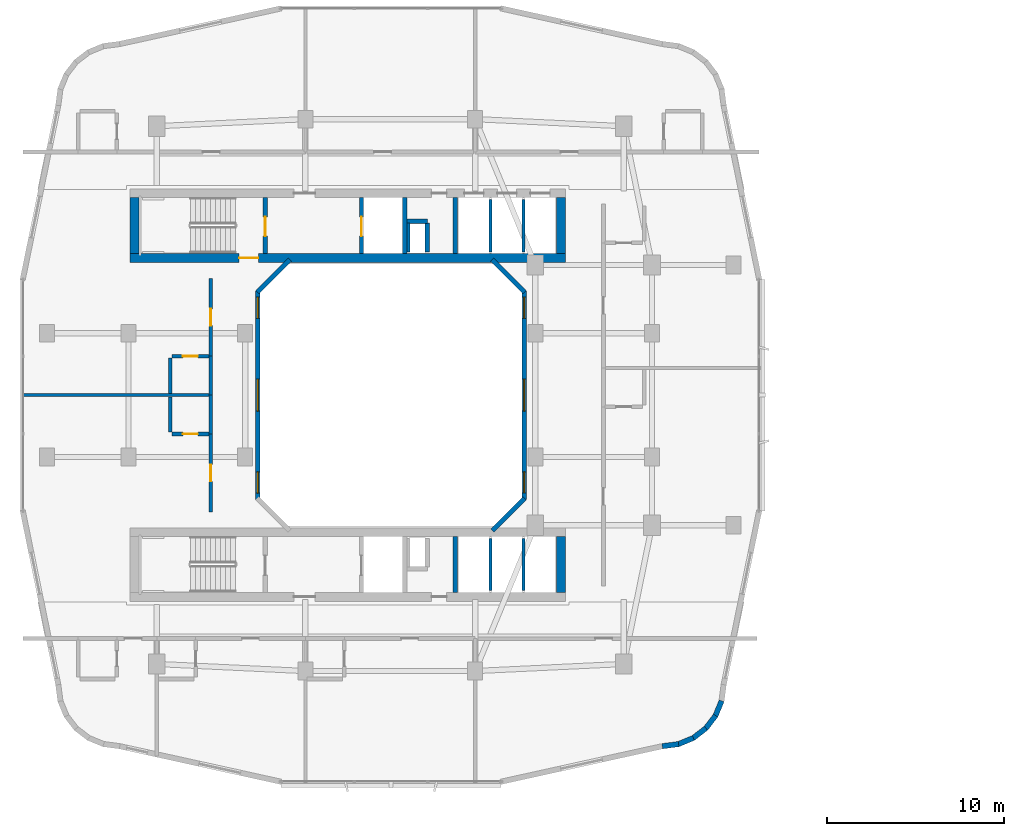
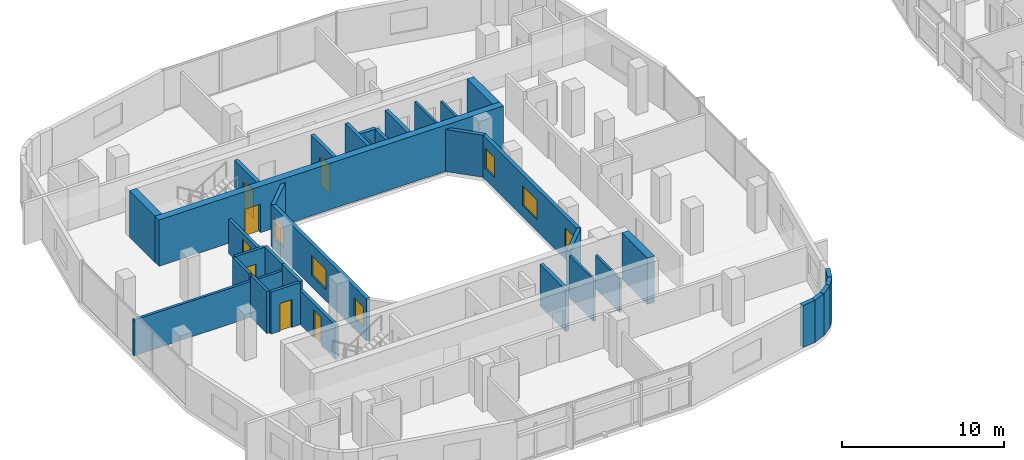
# One storey, part 13 of 25: 35 walls, 7 doors, 6 windows, 13 openings.
"""IFC4 building model written with IfcOpenShell, lengths in metres."""

from ifc_helpers import new_model, si_unit, derived_unit, direction, frame, frame_2d, origin, place, context, subcontext, project, spatial, rectangle, extrude, material, layer, layer_set, type_object, element, fill, save


model = new_model("IFC4")

# Units and contexts
model_context = context("Model", 3, precision=1e-05, world=origin(), true_north=direction((0.0, 1.0)))
body_context = subcontext(model_context, "Body", "Model", "MODEL_VIEW")
ifc_project = project(units=[si_unit("LENGTHUNIT", "METRE"), si_unit("AREAUNIT", "SQUARE_METRE"), si_unit("VOLUMEUNIT", "CUBIC_METRE"), si_unit("PLANEANGLEUNIT", "RADIAN"), si_unit("MASSUNIT", "GRAM", prefix="KILO"), derived_unit("THERMALTRANSMITTANCEUNIT", [(si_unit("POWERUNIT", "WATT"), 1), (si_unit("LENGTHUNIT", "METRE"), -2), (si_unit("THERMODYNAMICTEMPERATUREUNIT", "KELVIN"), -1)])], contexts=[model_context])

# Site, building, storey
site_placement = place(None, origin())
site = spatial("IfcSite", under=ifc_project, at=site_placement, CompositionType="ELEMENT")
building_placement = place(site_placement, origin())
building = spatial("IfcBuilding", under=site, at=building_placement, Name="Kivonza Crest Hotel", CompositionType="ELEMENT")
storey_placement = place(building_placement, frame((0.0, 0.0, 87.0)))
storey = spatial("IfcBuildingStorey", under=building, at=storey_placement, Name="L23", CompositionType="ELEMENT", Elevation=87.0)

# Walls
ifc_material_1 = material(Name="High-density acoustic masonry inter-tenancy wall", Category="masonry")
ifc_layer_1 = layer(ifc_material_1, 0.179931640625)
ifc_layer_set_1 = layer_set([ifc_layer_1], Name="High-density acoustic masonry inter-tenancy wall")
wall_type_1 = type_object("IfcWallType", Name="WL-ACOU-180", PredefinedType="SOLIDWALL", material=ifc_layer_set_1)
wall_1_placement = place(storey_placement, frame((0.139892578125, 25.0, 0.0), z_axis=(0.0, 0.0, 1.0), x_axis=(1.0, 0.0, 0.0)))
element("IfcWall", 1, at=wall_1_placement, inside=storey, type_object=wall_type_1, Name="L23 interior partition WA-L23-T1W-DIV1", PredefinedType="SOLIDWALL", context=body_context, shape_type="SweptSolid", body=[
    extrude(rectangle(XDim=10.710205078125, YDim=0.179931640625, at=frame_2d((5.35498046875, 0.0))), origin(), (0.0, 0.0, 1.0), 2.705078125),
])
ifc_material_2 = material(Name="Autoclaved aerated concrete blockwork", Category="masonry")
ifc_layer_2 = layer(ifc_material_2, 0.219970703125)
ifc_layer_set_2 = layer_set([ifc_layer_2], Name="Autoclaved aerated concrete blockwork")
wall_type_2 = type_object("IfcWallType", Name="WL-ACOU-220", PredefinedType="SOLIDWALL", material=ifc_layer_set_2)
wall_2_placement = place(storey_placement, frame((10.85009765625, 22.800048828125, 0.0), z_axis=(0.0, 0.0, 1.0), x_axis=(0.0, 1.0, 0.0)))
element("IfcWall", 2, at=wall_2_placement, inside=storey, type_object=wall_type_2, Name="L23 interior partition WA-L23-W06-BCORR", PredefinedType="SOLIDWALL", context=body_context, shape_type="SweptSolid", body=[
    extrude(rectangle(XDim=2.199951171875, YDim=0.219970703125, at=frame_2d((1.10009765625, 0.0))), origin(), (0.0, 0.0, 1.0), 3.179931640625),
])

# Wall, opening, door
wall_3_placement = place(storey_placement, frame((10.85009765625, 18.39990234375, 0.0), z_axis=(0.0, 0.0, 1.0), x_axis=(0.0, 1.0, 0.0)))
wall_3 = element("IfcWall", 3, at=wall_3_placement, inside=storey, type_object=wall_type_2, Name="L23 interior partition WA-L23-W06-MCORR", PredefinedType="SOLIDWALL", context=body_context, shape_type="SweptSolid", body=[
    extrude(rectangle(XDim=4.400146484375, YDim=0.219970703125, at=frame_2d((2.2001953125, 0.0))), origin(), (0.0, 0.0, 1.0), 2.554931640625),
])
opening_1_placement = place(wall_3_placement, frame((1.72509765625, 0.0, 0.0)))
opening_1 = element("IfcOpeningElement", 4, at=opening_1_placement, cuts=wall_3, Name="Opening DU-60", PredefinedType="OPENING", context=body_context, shape_type="SweptSolid", body=[
    extrude(rectangle(XDim=0.949951171875, YDim=2.10009765625, at=frame_2d((0.47509765625, 1.050048828125))), frame((0.0, 0.1201171875, 0.0), z_axis=(0.0, -1.0, 0.0), x_axis=(1.0, 0.0, 0.0)), (0.0, 0.0, 1.0), 0.239990234375),
])
ifc_material_3 = material(Name="Hardwood timber oak", Category="wood")
door_type_1 = type_object("IfcDoorType", Name="DR-UNIT-950", OperationType="NOTDEFINED", PredefinedType="DOOR", material=ifc_material_3)
door_1_placement = place(opening_1_placement, origin())
door_1 = element("IfcDoor", 5, at=door_1_placement, inside=storey, type_object=door_type_1, Name="L23 W06 guest unit entrance fire door", OperationType="SINGLE_SWING_RIGHT", OverallHeight=2.10009765625, OverallWidth=0.949951171875, PredefinedType="DOOR", context=body_context, shape_type="SweptSolid", body=[
    extrude(rectangle(XDim=0.949951171875, YDim=2.10009765625, at=frame_2d((0.47509765625, 1.050048828125))), frame((0.0, 0.02490234375, 0.0), z_axis=(0.0, -1.0, 0.0), x_axis=(1.0, 0.0, 0.0)), (0.0, 0.0, 1.0), 0.050048828125),
])
fill(opening_1, door_1)

# Wall
wall_4_placement = place(storey_placement, frame((10.85009765625, 25.0, 0.0), z_axis=(0.0, 0.0, 1.0), x_axis=(0.0, 1.0, 0.0)))
element("IfcWall", 6, at=wall_4_placement, inside=storey, type_object=wall_type_2, Name="L23 interior partition WA-L23-W07-BCORR", PredefinedType="SOLIDWALL", context=body_context, shape_type="SweptSolid", body=[
    extrude(rectangle(XDim=2.199951171875, YDim=0.219970703125, at=frame_2d((1.10009765625, 0.0))), origin(), (0.0, 0.0, 1.0), 3.179931640625),
])

# Wall, opening, door
wall_5_placement = place(storey_placement, frame((10.85009765625, 27.199951171875, 0.0), z_axis=(0.0, 0.0, 1.0), x_axis=(0.0, 1.0, 0.0)))
wall_5 = element("IfcWall", 7, at=wall_5_placement, inside=storey, type_object=wall_type_2, Name="L23 interior partition WA-L23-W07-MCORR", PredefinedType="SOLIDWALL", context=body_context, shape_type="SweptSolid", body=[
    extrude(rectangle(XDim=4.400146484375, YDim=0.219970703125, at=frame_2d((2.2001953125, 0.0))), origin(), (0.0, 0.0, 1.0), 2.554931640625),
])
opening_2_placement = place(wall_5_placement, frame((1.72509765625, 0.0, 0.0)))
opening_2 = element("IfcOpeningElement", 8, at=opening_2_placement, cuts=wall_5, Name="Opening DU-60", PredefinedType="OPENING", context=body_context, shape_type="SweptSolid", body=[
    extrude(rectangle(XDim=0.949951171875, YDim=2.10009765625, at=frame_2d((0.47509765625, 1.050048828125))), frame((0.0, 0.1201171875, 0.0), z_axis=(0.0, -1.0, 0.0), x_axis=(1.0, 0.0, 0.0)), (0.0, 0.0, 1.0), 0.239990234375),
])
door_2_placement = place(opening_2_placement, origin())
door_2 = element("IfcDoor", 9, at=door_2_placement, inside=storey, type_object=door_type_1, Name="L23 W07 guest unit entrance fire door", OperationType="SINGLE_SWING_LEFT", OverallHeight=2.10009765625, OverallWidth=0.949951171875, PredefinedType="DOOR", context=body_context, shape_type="SweptSolid", body=[
    extrude(rectangle(XDim=0.949951171875, YDim=2.10009765625, at=frame_2d((0.47509765625, 1.050048828125))), frame((0.0, 0.02490234375, 0.0), z_axis=(0.0, -1.0, 0.0), x_axis=(1.0, 0.0, 0.0)), (0.0, 0.0, 1.0), 0.050048828125),
])
fill(opening_2, door_2)

ifc_material_4 = material(Name="Concrete C60/75", Category="concrete")
ifc_layer_3 = layer(ifc_material_4, 0.5)
ifc_layer_set_3 = layer_set([ifc_layer_3], Name="Concrete C60/75")
wall_type_3 = type_object("IfcWallType", Name="WL-CORE-500", PredefinedType="SHEAR", material=ifc_layer_set_3)
wall_6_placement = place(storey_placement, frame((6.300048828125, 32.75, 0.0), z_axis=(0.0, 0.0, 1.0), x_axis=(1.0, 0.0, 0.0)))
wall_6 = element("IfcWall", 10, at=wall_6_placement, inside=storey, type_object=wall_type_3, Name="Core wall T1-N South L23", PredefinedType="SHEAR", context=body_context, shape_type="SweptSolid", body=[
    extrude(rectangle(XDim=24.599853515625, YDim=0.5, at=frame_2d((12.2998046875, 0.0))), origin(), (0.0, 0.0, 1.0), 3.5),
])
opening_3_placement = place(wall_6_placement, frame((6.14990234375, 0.0, 0.0)))
opening_3 = element("IfcOpeningElement", 11, at=opening_3_placement, cuts=wall_6, Name="Opening DF-120", PredefinedType="OPENING", context=body_context, shape_type="SweptSolid", body=[
    extrude(rectangle(XDim=1.10009765625, YDim=2.14990234375, at=frame_2d((0.550048828125, 1.074951171875))), frame((0.0, 0.260009765625, 0.0), z_axis=(0.0, -1.0, 0.0), x_axis=(1.0, 0.0, 0.0)), (0.0, 0.0, 1.0), 0.52001953125),
])
ifc_material_5 = material(Name="Galvanised steel", Category="steel")
door_type_2 = type_object("IfcDoorType", Name="DR-FD120-1100", OperationType="NOTDEFINED", PredefinedType="DOOR", material=ifc_material_5)
door_3_placement = place(opening_3_placement, origin())
door_3 = element("IfcDoor", 12, at=door_3_placement, inside=storey, type_object=door_type_2, Name="L23 West corridor stair access fire door", OperationType="SINGLE_SWING_LEFT", OverallHeight=2.14990234375, OverallWidth=1.10009765625, PredefinedType="DOOR", context=body_context, shape_type="SweptSolid", body=[
    extrude(rectangle(XDim=1.10009765625, YDim=2.14990234375, at=frame_2d((0.550048828125, 1.074951171875))), frame((0.0, 0.02490234375, 0.0), z_axis=(0.0, -1.0, 0.0), x_axis=(1.0, 0.0, 0.0)), (0.0, 0.0, 1.0), 0.050048828125),
])
fill(opening_3, door_3)

# Walls
for number, where, z_axis, x_axis, name in (
    (13, (6.550048828125, 33.0, 0.0), (0.0, 0.0, 1.0), (0.0, 1.0, 0.0), "Core wall T1-N West L23"),
    (14, (30.64990234375, 33.0, 0.0), (0.0, 0.0, 1.0), (0.0, 1.0, 0.0), "Core wall T1-N East L23"),
    (15, (30.64990234375, 13.840087890625, 0.0), (0.0, 0.0, 1.0), (0.0, 1.0, 0.0), "Core wall T1-S East L23"),
):
    element("IfcWall", number, at=place(storey_placement, frame(where, z_axis=z_axis, x_axis=x_axis)), inside=storey, type_object=wall_type_3, Name=name, PredefinedType="SHEAR", context=body_context, shape_type="SweptSolid", body=[
        extrude(rectangle(XDim=3.159912109375, YDim=0.5, at=frame_2d((1.580078125, 0.0))), origin(), (0.0, 0.0, 1.0), 3.5),
    ])
ifc_material_6 = material(Name="Precast concrete C40/50", Category="concrete")
ifc_layer_4 = layer(ifc_material_6, 0.260009765625)
ifc_layer_set_4 = layer_set([ifc_layer_4], Name="Precast concrete C40/50")
wall_type_4 = type_object("IfcWallType", Name="WL-EXT-260", PredefinedType="STANDARD", material=ifc_layer_set_4)
wall_7_placement = place(storey_placement, frame((26.761962890625, 17.337890625, 0.0), z_axis=(0.0, 0.0, 1.0), x_axis=(0.707059717605, 0.707153841636, 0.0)))
element("IfcWall", 16, at=wall_7_placement, inside=storey, type_object=wall_type_4, Name="L23 T1 light-well exterior wall 2", PredefinedType="STANDARD", context=body_context, shape_type="SweptSolid", body=[
    extrude(rectangle(XDim=2.59375, YDim=0.260009765625, at=frame_2d((1.296875, 0.0))), origin(), (0.0, 0.0, 1.0), 3.179931640625),
])

# Wall, openings, windows
wall_8_placement = place(storey_placement, frame((28.570068359375, 19.110107421875, 0.0), z_axis=(0.0, 0.0, 1.0), x_axis=(0.0, 1.0, 0.0)))
wall_8 = element("IfcWall", 17, at=wall_8_placement, inside=storey, type_object=wall_type_4, Name="L23 T1 light-well exterior wall 3", PredefinedType="STANDARD", context=body_context, shape_type="SweptSolid", body=[
    extrude(rectangle(XDim=11.77978515625, YDim=0.260009765625, at=frame_2d((5.889892578125, 0.0))), origin(), (0.0, 0.0, 1.0), 3.179931640625),
])
opening_4_placement = place(wall_8_placement, frame((0.35498046875, 0.0, 0.85009765625)))
opening_4 = element("IfcOpeningElement", 18, at=opening_4_placement, cuts=wall_8, Name="Opening WN-01", PredefinedType="OPENING", context=body_context, shape_type="SweptSolid", body=[
    extrude(rectangle(XDim=1.199951171875, YDim=1.5, at=frame_2d((0.60009765625, 0.75))), frame((0.0, 0.14013671875, 0.0), z_axis=(0.0, -1.0, 0.0), x_axis=(1.0, 0.0, 0.0)), (0.0, 0.0, 1.0), 0.280029296875),
])
opening_5_placement = place(wall_8_placement, frame((4.989990234375, 0.0, 0.85009765625)))
opening_5 = element("IfcOpeningElement", 19, at=opening_5_placement, cuts=wall_8, Name="Opening WN-03", PredefinedType="OPENING", context=body_context, shape_type="SweptSolid", body=[
    extrude(rectangle(XDim=1.800048828125, YDim=1.5, at=frame_2d((0.89990234375, 0.75))), frame((0.0, 0.14013671875, 0.0), z_axis=(0.0, -1.0, 0.0), x_axis=(1.0, 0.0, 0.0)), (0.0, 0.0, 1.0), 0.280029296875),
])
opening_6_placement = place(wall_8_placement, frame((10.22509765625, 0.0, 0.85009765625)))
opening_6 = element("IfcOpeningElement", 20, at=opening_6_placement, cuts=wall_8, Name="Opening WN-01", PredefinedType="OPENING", context=body_context, shape_type="SweptSolid", body=[
    extrude(rectangle(XDim=1.199951171875, YDim=1.5, at=frame_2d((0.60009765625, 0.75))), frame((0.0, 0.14013671875, 0.0), z_axis=(0.0, -1.0, 0.0), x_axis=(1.0, 0.0, 0.0)), (0.0, 0.0, 1.0), 0.280029296875),
])
ifc_material_7 = material(Name="Thermally broken bronze aluminium and low-E double glazing", Category="aluminium")
window_type_1 = type_object("IfcWindowType", Name="WN-120x150", PartitioningType="SINGLE_PANEL", PredefinedType="WINDOW", material=ifc_material_7)
window_1_placement = place(opening_4_placement, origin())
window_1 = element("IfcWindow", 21, at=window_1_placement, inside=storey, type_object=window_type_1, Name="L23 T1 light-well window 3 bay 1", OverallHeight=1.5, OverallWidth=1.199951171875, PartitioningType="SINGLE_PANEL", PredefinedType="WINDOW", context=body_context, shape_type="SweptSolid", body=[
    extrude(rectangle(XDim=1.199951171875, YDim=1.5, at=frame_2d((0.60009765625, 0.75))), frame((0.0, 0.030029296875, 0.0), z_axis=(0.0, -1.0, 0.0), x_axis=(1.0, 0.0, 0.0)), (0.0, 0.0, 1.0), 0.06005859375),
])
fill(opening_4, window_1)
window_2_placement = place(opening_6_placement, origin())
window_2 = element("IfcWindow", 22, at=window_2_placement, inside=storey, type_object=window_type_1, Name="L23 T1 light-well window 3 bay 3", OverallHeight=1.5, OverallWidth=1.199951171875, PartitioningType="SINGLE_PANEL", PredefinedType="WINDOW", context=body_context, shape_type="SweptSolid", body=[
    extrude(rectangle(XDim=1.199951171875, YDim=1.5, at=frame_2d((0.60009765625, 0.75))), frame((0.0, 0.030029296875, 0.0), z_axis=(0.0, -1.0, 0.0), x_axis=(1.0, 0.0, 0.0)), (0.0, 0.0, 1.0), 0.06005859375),
])
fill(opening_6, window_2)
window_type_2 = type_object("IfcWindowType", Name="WN-180x150", PartitioningType="DOUBLE_PANEL_VERTICAL", PredefinedType="WINDOW", material=ifc_material_7)
window_3_placement = place(opening_5_placement, origin())
window_3 = element("IfcWindow", 23, at=window_3_placement, inside=storey, type_object=window_type_2, Name="L23 T1 light-well window 3 bay 2", OverallHeight=1.5, OverallWidth=1.800048828125, PartitioningType="SINGLE_PANEL", PredefinedType="WINDOW", context=body_context, shape_type="SweptSolid", body=[
    extrude(rectangle(XDim=1.800048828125, YDim=1.5, at=frame_2d((0.89990234375, 0.75))), frame((0.0, 0.030029296875, 0.0), z_axis=(0.0, -1.0, 0.0), x_axis=(1.0, 0.0, 0.0)), (0.0, 0.0, 1.0), 0.06005859375),
])
fill(opening_5, window_3)

# Walls
wall_9_placement = place(storey_placement, frame((28.595947265625, 30.827880859375, 0.0), z_axis=(0.0, 0.0, 1.0), x_axis=(-0.707059717605, 0.707153841636, 0.0)))
element("IfcWall", 24, at=wall_9_placement, inside=storey, type_object=wall_type_4, Name="L23 T1 light-well exterior wall 4", PredefinedType="STANDARD", context=body_context, shape_type="SweptSolid", body=[
    extrude(rectangle(XDim=2.59375, YDim=0.260009765625, at=frame_2d((1.296875, 0.0))), origin(), (0.0, 0.0, 1.0), 3.179931640625),
])
wall_10_placement = place(storey_placement, frame((15.318115234375, 32.662109375, 0.0), z_axis=(0.0, 0.0, 1.0), x_axis=(-0.707106781187, -0.707106781187, 0.0)))
element("IfcWall", 25, at=wall_10_placement, inside=storey, type_object=wall_type_4, Name="L23 T1 light-well exterior wall 6", PredefinedType="STANDARD", context=body_context, shape_type="SweptSolid", body=[
    extrude(rectangle(XDim=2.593994140625, YDim=0.260009765625, at=frame_2d((1.296875, 0.0))), origin(), (0.0, 0.0, 1.0), 3.179931640625),
])

# Wall, openings, windows
wall_11_placement = place(storey_placement, frame((13.510009765625, 30.889892578125, 0.0), z_axis=(0.0, 0.0, 1.0), x_axis=(0.0, -1.0, 0.0)))
wall_11 = element("IfcWall", 26, at=wall_11_placement, inside=storey, type_object=wall_type_4, Name="L23 T1 light-well exterior wall 7", PredefinedType="STANDARD", context=body_context, shape_type="SweptSolid", body=[
    extrude(rectangle(XDim=11.77978515625, YDim=0.260009765625, at=frame_2d((5.889892578125, 0.0))), origin(), (0.0, 0.0, 1.0), 3.179931640625),
])
opening_7_placement = place(wall_11_placement, frame((0.35498046875, 0.0, 0.85009765625)))
opening_7 = element("IfcOpeningElement", 27, at=opening_7_placement, cuts=wall_11, Name="Opening WN-01", PredefinedType="OPENING", context=body_context, shape_type="SweptSolid", body=[
    extrude(rectangle(XDim=1.199951171875, YDim=1.5, at=frame_2d((0.60009765625, 0.75))), frame((0.0, 0.14013671875, 0.0), z_axis=(0.0, -1.0, 0.0), x_axis=(1.0, 0.0, 0.0)), (0.0, 0.0, 1.0), 0.280029296875),
])
opening_8_placement = place(wall_11_placement, frame((4.989990234375, 0.0, 0.85009765625)))
opening_8 = element("IfcOpeningElement", 28, at=opening_8_placement, cuts=wall_11, Name="Opening WN-03", PredefinedType="OPENING", context=body_context, shape_type="SweptSolid", body=[
    extrude(rectangle(XDim=1.800048828125, YDim=1.5, at=frame_2d((0.89990234375, 0.75))), frame((0.0, 0.14013671875, 0.0), z_axis=(0.0, -1.0, 0.0), x_axis=(1.0, 0.0, 0.0)), (0.0, 0.0, 1.0), 0.280029296875),
])
opening_9_placement = place(wall_11_placement, frame((10.22509765625, 0.0, 0.85009765625)))
opening_9 = element("IfcOpeningElement", 29, at=opening_9_placement, cuts=wall_11, Name="Opening WN-01", PredefinedType="OPENING", context=body_context, shape_type="SweptSolid", body=[
    extrude(rectangle(XDim=1.199951171875, YDim=1.5, at=frame_2d((0.60009765625, 0.75))), frame((0.0, 0.14013671875, 0.0), z_axis=(0.0, -1.0, 0.0), x_axis=(1.0, 0.0, 0.0)), (0.0, 0.0, 1.0), 0.280029296875),
])
window_4_placement = place(opening_7_placement, origin())
window_4 = element("IfcWindow", 30, at=window_4_placement, inside=storey, type_object=window_type_1, Name="L23 T1 light-well window 7 bay 1", OverallHeight=1.5, OverallWidth=1.199951171875, PartitioningType="SINGLE_PANEL", PredefinedType="WINDOW", context=body_context, shape_type="SweptSolid", body=[
    extrude(rectangle(XDim=1.199951171875, YDim=1.5, at=frame_2d((0.60009765625, 0.75))), frame((0.0, 0.030029296875, 0.0), z_axis=(0.0, -1.0, 0.0), x_axis=(1.0, 0.0, 0.0)), (0.0, 0.0, 1.0), 0.06005859375),
])
fill(opening_7, window_4)
window_5_placement = place(opening_9_placement, origin())
window_5 = element("IfcWindow", 31, at=window_5_placement, inside=storey, type_object=window_type_1, Name="L23 T1 light-well window 7 bay 3", OverallHeight=1.5, OverallWidth=1.199951171875, PartitioningType="SINGLE_PANEL", PredefinedType="WINDOW", context=body_context, shape_type="SweptSolid", body=[
    extrude(rectangle(XDim=1.199951171875, YDim=1.5, at=frame_2d((0.60009765625, 0.75))), frame((0.0, 0.030029296875, 0.0), z_axis=(0.0, -1.0, 0.0), x_axis=(1.0, 0.0, 0.0)), (0.0, 0.0, 1.0), 0.06005859375),
])
fill(opening_9, window_5)
window_6_placement = place(opening_8_placement, origin())
window_6 = element("IfcWindow", 32, at=window_6_placement, inside=storey, type_object=window_type_2, Name="L23 T1 light-well window 7 bay 2", OverallHeight=1.5, OverallWidth=1.800048828125, PartitioningType="SINGLE_PANEL", PredefinedType="WINDOW", context=body_context, shape_type="SweptSolid", body=[
    extrude(rectangle(XDim=1.800048828125, YDim=1.5, at=frame_2d((0.89990234375, 0.75))), frame((0.0, 0.030029296875, 0.0), z_axis=(0.0, -1.0, 0.0), x_axis=(1.0, 0.0, 0.0)), (0.0, 0.0, 1.0), 0.06005859375),
])
fill(opening_8, window_6)

# Walls
ifc_layer_5 = layer(ifc_material_6, 0.300048828125)
ifc_layer_set_5 = layer_set([ifc_layer_5], Name="Precast concrete C40/50")
wall_type_5 = type_object("IfcWallType", Name="WL-EXT-300", PredefinedType="STANDARD", material=ifc_layer_set_5)
wall_12_placement = place(storey_placement, frame((36.3720703125, 5.14794921875, 0.0), z_axis=(0.0, 0.0, 1.0), x_axis=(0.991359246108, 0.131174864804, 0.0)))
element("IfcWall", 33, at=wall_12_placement, inside=storey, type_object=wall_type_5, Name="L23 T1 exterior insulated wall 10", PredefinedType="STANDARD", context=body_context, shape_type="SweptSolid", body=[
    extrude(rectangle(XDim=0.93798828125, YDim=0.300048828125, at=frame_2d((0.468994140625, 0.0))), origin(), (0.0, 0.0, 1.0), 3.179931640625),
])
wall_13_placement = place(storey_placement, frame((37.251953125, 5.251953125, 0.0), z_axis=(0.0, 0.0, 1.0), x_axis=(0.924019948111, 0.382344263057, 0.0)))
element("IfcWall", 34, at=wall_13_placement, inside=storey, type_object=wall_type_5, Name="L23 T1 exterior insulated wall 11", PredefinedType="STANDARD", context=body_context, shape_type="SweptSolid", body=[
    extrude(rectangle(XDim=0.95458984375, YDim=0.300048828125, at=frame_2d((0.477294921875, 0.0))), origin(), (0.0, 0.0, 1.0), 3.179931640625),
])
wall_14_placement = place(storey_placement, frame((38.089111328125, 5.5859375, 0.0), z_axis=(0.0, 0.0, 1.0), x_axis=(0.793573440799, 0.608474481025, 0.0)))
element("IfcWall", 35, at=wall_14_placement, inside=storey, type_object=wall_type_5, Name="L23 T1 exterior insulated wall 12", PredefinedType="STANDARD", context=body_context, shape_type="SweptSolid", body=[
    extrude(rectangle(XDim=0.954833984375, YDim=0.300048828125, at=frame_2d((0.4775390625, 0.0))), origin(), (0.0, 0.0, 1.0), 3.179931640625),
])
wall_15_placement = place(storey_placement, frame((38.81201171875, 6.125, 0.0), z_axis=(0.0, 0.0, 1.0), x_axis=(0.608351047625, 0.793668068435, 0.0)))
element("IfcWall", 36, at=wall_15_placement, inside=storey, type_object=wall_type_5, Name="L23 T1 exterior insulated wall 13", PredefinedType="STANDARD", context=body_context, shape_type="SweptSolid", body=[
    extrude(rectangle(XDim=0.955078125, YDim=0.300048828125, at=frame_2d((0.4775390625, 0.0))), origin(), (0.0, 0.0, 1.0), 3.179931640625),
])
wall_16_placement = place(storey_placement, frame((39.368896484375, 6.833984375, 0.0), z_axis=(0.0, 0.0, 1.0), x_axis=(0.382344263057, 0.924019948111, 0.0)))
element("IfcWall", 37, at=wall_16_placement, inside=storey, type_object=wall_type_5, Name="L23 T1 exterior insulated wall 14", PredefinedType="STANDARD", context=body_context, shape_type="SweptSolid", body=[
    extrude(rectangle(XDim=0.95458984375, YDim=0.300048828125, at=frame_2d((0.477294921875, 0.0))), origin(), (0.0, 0.0, 1.0), 3.179931640625),
])
ifc_material_8 = material(Name="Concrete blockwork fire-compartment wall", Category="masonry")
ifc_layer_6 = layer(ifc_material_8, 0.25)
ifc_layer_set_6 = layer_set([ifc_layer_6], Name="Concrete blockwork fire-compartment wall")
wall_type_6 = type_object("IfcWallType", Name="WL-FIRE-250", PredefinedType="SOLIDWALL", material=ifc_layer_set_6)
wall_17_placement = place(storey_placement, frame((23.10009765625, 33.10009765625, 0.0), z_axis=(0.0, 0.0, 1.0), x_axis=(0.0, 1.0, 0.0)))
element("IfcWall", 38, at=wall_17_placement, inside=storey, type_object=wall_type_6, Name="L23 interior partition WA-L23-T1-N-MEPR-E", PredefinedType="SOLIDWALL", context=body_context, shape_type="SweptSolid", body=[
    extrude(rectangle(XDim=1.619873046875, YDim=0.25, at=frame_2d((0.81005859375, 0.0))), origin(), (0.0, 0.0, 1.0), 3.179931640625),
])
wall_18_placement = place(storey_placement, frame((21.949951171875, 34.820068359375, 0.0), z_axis=(0.0, 0.0, 1.0), x_axis=(1.0, 0.0, 0.0)))
element("IfcWall", 39, at=wall_18_placement, inside=storey, type_object=wall_type_6, Name="L23 interior partition WA-L23-T1-N-MEPR-H", PredefinedType="SOLIDWALL", context=body_context, shape_type="SweptSolid", body=[
    extrude(rectangle(XDim=1.150146484375, YDim=0.25, at=frame_2d((0.5751953125, 0.0))), origin(), (0.0, 0.0, 1.0), 3.179931640625),
])
ifc_material_9 = material(Name="Twin-stud acoustic gypsum board partition", Category="gypsum")
ifc_layer_7 = layer(ifc_material_9, 0.14990234375)
ifc_layer_set_7 = layer_set([ifc_layer_7], Name="Twin-stud acoustic gypsum board partition")
wall_type_7 = type_object("IfcWallType", Name="WL-PART-150", PredefinedType="PARTITIONING", material=ifc_layer_set_7)
wall_19_placement = place(storey_placement, frame((22.030029296875, 33.10009765625, 0.0), z_axis=(0.0, 0.0, 1.0), x_axis=(0.0, 1.0, 0.0)))
element("IfcWall", 40, at=wall_19_placement, inside=storey, type_object=wall_type_7, Name="L23 interior partition WA-L23-T1-N-MEPR-W", PredefinedType="PARTITIONING", context=body_context, shape_type="SweptSolid", body=[
    extrude(rectangle(XDim=1.619873046875, YDim=0.14990234375, at=frame_2d((0.81005859375, 0.0))), origin(), (0.0, 0.0, 1.0), 3.179931640625),
])
wall_20_placement = place(storey_placement, frame((26.6669921875, 33.10009765625, 0.0), z_axis=(0.0, 0.0, 1.0), x_axis=(0.0, 1.0, 0.0)))
element("IfcWall", 41, at=wall_20_placement, inside=storey, type_object=wall_type_7, Name="L23 interior partition WP-L23-T1-N-BSH-1", PredefinedType="PARTITIONING", context=body_context, shape_type="SweptSolid", body=[
    extrude(rectangle(XDim=2.9599609375, YDim=0.14990234375, at=frame_2d((1.47998046875, 0.0))), origin(), (0.0, 0.0, 1.0), 3.179931640625),
])
wall_21_placement = place(storey_placement, frame((28.532958984375, 33.10009765625, 0.0), z_axis=(0.0, 0.0, 1.0), x_axis=(0.0, 1.0, 0.0)))
element("IfcWall", 42, at=wall_21_placement, inside=storey, type_object=wall_type_7, Name="L23 interior partition WP-L23-T1-N-BSH-2", PredefinedType="PARTITIONING", context=body_context, shape_type="SweptSolid", body=[
    extrude(rectangle(XDim=2.9599609375, YDim=0.14990234375, at=frame_2d((1.47998046875, 0.0))), origin(), (0.0, 0.0, 1.0), 2.554931640625),
])
wall_22_placement = place(storey_placement, frame((26.6669921875, 13.93994140625, 0.0), z_axis=(0.0, 0.0, 1.0), x_axis=(0.0, 1.0, 0.0)))
element("IfcWall", 43, at=wall_22_placement, inside=storey, type_object=wall_type_7, Name="L23 interior partition WP-L23-T1-S-BSH-1", PredefinedType="PARTITIONING", context=body_context, shape_type="SweptSolid", body=[
    extrude(rectangle(XDim=2.9599609375, YDim=0.14990234375, at=frame_2d((1.47998046875, 0.0))), origin(), (0.0, 0.0, 1.0), 3.179931640625),
])
wall_23_placement = place(storey_placement, frame((28.532958984375, 13.93994140625, 0.0), z_axis=(0.0, 0.0, 1.0), x_axis=(0.0, 1.0, 0.0)))
element("IfcWall", 44, at=wall_23_placement, inside=storey, type_object=wall_type_7, Name="L23 interior partition WP-L23-T1-S-BSH-2", PredefinedType="PARTITIONING", context=body_context, shape_type="SweptSolid", body=[
    extrude(rectangle(XDim=2.9599609375, YDim=0.14990234375, at=frame_2d((1.47998046875, 0.0))), origin(), (0.0, 0.0, 1.0), 2.554931640625),
])

# Wall, opening, door
ifc_material_10 = material(Name="Moisture-resistant plumbing chase partition wall", Category="gypsum")
ifc_layer_8 = layer(ifc_material_10, 0.199951171875)
ifc_layer_set_8 = layer_set([ifc_layer_8], Name="Moisture-resistant plumbing chase partition wall")
wall_type_8 = type_object("IfcWallType", Name="WL-PLUMB-200", PredefinedType="PLUMBINGWALL", material=ifc_layer_set_8)
wall_24_placement = place(storey_placement, frame((8.64990234375, 22.800048828125, 0.0), z_axis=(0.0, 0.0, 1.0), x_axis=(1.0, 0.0, 0.0)))
wall_24 = element("IfcWall", 45, at=wall_24_placement, inside=storey, type_object=wall_type_8, Name="L23 interior partition WW-L23-W06-BH", PredefinedType="PLUMBINGWALL", context=body_context, shape_type="SweptSolid", body=[
    extrude(rectangle(XDim=2.10009765625, YDim=0.199951171875, at=frame_2d((1.050048828125, 0.0))), origin(), (0.0, 0.0, 1.0), 3.179931640625),
])
opening_10_placement = place(wall_24_placement, frame((0.625, 0.0, 0.0)))
opening_10 = element("IfcOpeningElement", 46, at=opening_10_placement, cuts=wall_24, Name="Opening DI-85", PredefinedType="OPENING", context=body_context, shape_type="SweptSolid", body=[
    extrude(rectangle(XDim=0.85009765625, YDim=2.10009765625, at=frame_2d((0.425048828125, 1.050048828125))), frame((0.0, 0.10986328125, 0.0), z_axis=(0.0, -1.0, 0.0), x_axis=(1.0, 0.0, 0.0)), (0.0, 0.0, 1.0), 0.219970703125),
])
door_type_3 = type_object("IfcDoorType", Name="DR-INT-850", OperationType="NOTDEFINED", PredefinedType="DOOR", material=ifc_material_3)
door_4_placement = place(opening_10_placement, frame((0.85009765625, 0.0, 0.0), z_axis=(0.0, 0.0, 1.0), x_axis=(-1.0, 0.0, 0.0)))
door_4 = element("IfcDoor", 47, at=door_4_placement, inside=storey, type_object=door_type_3, Name="L23 W06 en-suite bathroom door", OperationType="SINGLE_SWING_LEFT", OverallHeight=2.10009765625, OverallWidth=0.85009765625, PredefinedType="DOOR", context=body_context, shape_type="SweptSolid", body=[
    extrude(rectangle(XDim=0.85009765625, YDim=2.10009765625, at=frame_2d((0.425048828125, 1.050048828125))), frame((0.0, 0.02490234375, 0.0), z_axis=(0.0, -1.0, 0.0), x_axis=(1.0, 0.0, 0.0)), (0.0, 0.0, 1.0), 0.050048828125),
])
fill(opening_10, door_4)

# Wall
wall_25_placement = place(storey_placement, frame((8.550048828125, 22.89990234375, 0.0), z_axis=(0.0, 0.0, 1.0), x_axis=(0.0, 1.0, 0.0)))
element("IfcWall", 48, at=wall_25_placement, inside=storey, type_object=wall_type_8, Name="L23 interior partition WW-L23-W06-BV", PredefinedType="PLUMBINGWALL", context=body_context, shape_type="SweptSolid", body=[
    extrude(rectangle(XDim=2.0, YDim=0.199951171875, at=frame_2d((1.0, 0.0))), origin(), (0.0, 0.0, 1.0), 3.179931640625),
])

# Wall, opening, door
wall_26_placement = place(storey_placement, frame((8.64990234375, 27.199951171875, 0.0), z_axis=(0.0, 0.0, 1.0), x_axis=(1.0, 0.0, 0.0)))
wall_26 = element("IfcWall", 49, at=wall_26_placement, inside=storey, type_object=wall_type_8, Name="L23 interior partition WW-L23-W07-BH", PredefinedType="PLUMBINGWALL", context=body_context, shape_type="SweptSolid", body=[
    extrude(rectangle(XDim=2.10009765625, YDim=0.199951171875, at=frame_2d((1.050048828125, 0.0))), origin(), (0.0, 0.0, 1.0), 3.179931640625),
])
opening_11_placement = place(wall_26_placement, frame((0.625, 0.0, 0.0)))
opening_11 = element("IfcOpeningElement", 50, at=opening_11_placement, cuts=wall_26, Name="Opening DI-85", PredefinedType="OPENING", context=body_context, shape_type="SweptSolid", body=[
    extrude(rectangle(XDim=0.85009765625, YDim=2.10009765625, at=frame_2d((0.425048828125, 1.050048828125))), frame((0.0, 0.10986328125, 0.0), z_axis=(0.0, -1.0, 0.0), x_axis=(1.0, 0.0, 0.0)), (0.0, 0.0, 1.0), 0.219970703125),
])
door_5_placement = place(opening_11_placement, origin())
door_5 = element("IfcDoor", 51, at=door_5_placement, inside=storey, type_object=door_type_3, Name="L23 W07 en-suite bathroom door", OperationType="SINGLE_SWING_RIGHT", OverallHeight=2.10009765625, OverallWidth=0.85009765625, PredefinedType="DOOR", context=body_context, shape_type="SweptSolid", body=[
    extrude(rectangle(XDim=0.85009765625, YDim=2.10009765625, at=frame_2d((0.425048828125, 1.050048828125))), frame((0.0, 0.02490234375, 0.0), z_axis=(0.0, -1.0, 0.0), x_axis=(1.0, 0.0, 0.0)), (0.0, 0.0, 1.0), 0.050048828125),
])
fill(opening_11, door_5)

# Wall
wall_27_placement = place(storey_placement, frame((8.550048828125, 25.10009765625, 0.0), z_axis=(0.0, 0.0, 1.0), x_axis=(0.0, 1.0, 0.0)))
element("IfcWall", 52, at=wall_27_placement, inside=storey, type_object=wall_type_8, Name="L23 interior partition WW-L23-W07-BV", PredefinedType="PLUMBINGWALL", context=body_context, shape_type="SweptSolid", body=[
    extrude(rectangle(XDim=2.0, YDim=0.199951171875, at=frame_2d((1.0, 0.0))), origin(), (0.0, 0.0, 1.0), 3.179931640625),
])

# Wall, opening, door
ifc_material_11 = material(Name="Concrete C50/60", Category="concrete")
ifc_layer_9 = layer(ifc_material_11, 0.25)
ifc_layer_set_9 = layer_set([ifc_layer_9], Name="Concrete C50/60")
wall_type_9 = type_object("IfcWallType", Name="WL-SHAFT-250", PredefinedType="STANDARD", material=ifc_layer_set_9)
wall_28_placement = place(storey_placement, frame((13.925048828125, 33.0, 0.0), z_axis=(0.0, 0.0, 1.0), x_axis=(0.0, 1.0, 0.0)))
wall_28 = element("IfcWall", 53, at=wall_28_placement, inside=storey, type_object=wall_type_9, Name="Core shaft wall T1-N STAIR L23", PredefinedType="STANDARD", context=body_context, shape_type="SweptSolid", body=[
    extrude(rectangle(XDim=3.159912109375, YDim=0.25, at=frame_2d((1.580078125, 0.0))), origin(), (0.0, 0.0, 1.0), 3.179931640625),
])
opening_12_placement = place(wall_28_placement, frame((0.97998046875, 0.0, 0.0)))
opening_12 = element("IfcOpeningElement", 54, at=opening_12_placement, cuts=wall_28, Name="Opening DF-120", PredefinedType="OPENING", context=body_context, shape_type="SweptSolid", body=[
    extrude(rectangle(XDim=1.10009765625, YDim=2.14990234375, at=frame_2d((0.550048828125, 1.074951171875))), frame((0.0, 0.135009765625, 0.0), z_axis=(0.0, -1.0, 0.0), x_axis=(1.0, 0.0, 0.0)), (0.0, 0.0, 1.0), 0.27001953125),
])
door_6_placement = place(opening_12_placement, frame((1.10009765625, 0.0, 0.0), z_axis=(0.0, 0.0, 1.0), x_axis=(-1.0, 0.0, 0.0)))
door_6 = element("IfcDoor", 55, at=door_6_placement, inside=storey, type_object=door_type_2, Name="L23 T1-N stair fire door", OperationType="SINGLE_SWING_LEFT", OverallHeight=2.14990234375, OverallWidth=1.10009765625, PredefinedType="DOOR", context=body_context, shape_type="SweptSolid", body=[
    extrude(rectangle(XDim=1.10009765625, YDim=2.14990234375, at=frame_2d((0.550048828125, 1.074951171875))), frame((0.0, 0.02490234375, 0.0), z_axis=(0.0, -1.0, 0.0), x_axis=(1.0, 0.0, 0.0)), (0.0, 0.0, 1.0), 0.050048828125),
])
fill(opening_12, door_6)

wall_29_placement = place(storey_placement, frame((19.375, 33.0, 0.0), z_axis=(0.0, 0.0, 1.0), x_axis=(0.0, 1.0, 0.0)))
wall_29 = element("IfcWall", 56, at=wall_29_placement, inside=storey, type_object=wall_type_9, Name="Core shaft wall T1-N FFL-W L23", PredefinedType="STANDARD", context=body_context, shape_type="SweptSolid", body=[
    extrude(rectangle(XDim=3.159912109375, YDim=0.25, at=frame_2d((1.580078125, 0.0))), origin(), (0.0, 0.0, 1.0), 3.179931640625),
])
opening_13_placement = place(wall_29_placement, frame((0.97998046875, 0.0, 0.0)))
opening_13 = element("IfcOpeningElement", 57, at=opening_13_placement, cuts=wall_29, Name="Opening LD-120", PredefinedType="OPENING", context=body_context, shape_type="SweptSolid", body=[
    extrude(rectangle(XDim=1.10009765625, YDim=2.14990234375, at=frame_2d((0.550048828125, 1.074951171875))), frame((0.0, 0.135009765625, 0.0), z_axis=(0.0, -1.0, 0.0), x_axis=(1.0, 0.0, 0.0)), (0.0, 0.0, 1.0), 0.27001953125),
])
ifc_material_12 = material(Name="Stainless steel", Category="steel")
door_type_4 = type_object("IfcDoorType", Name="DR-LD120-1100", OperationType="NOTDEFINED", PredefinedType="DOOR", material=ifc_material_12)
door_7_placement = place(opening_13_placement, origin())
door_7 = element("IfcDoor", 58, at=door_7_placement, inside=storey, type_object=door_type_4, Name="L23 FFL-T1-N firefighting lift sliding landing door", OperationType="DOUBLE_DOOR_SLIDING", OverallHeight=2.14990234375, OverallWidth=1.10009765625, PredefinedType="DOOR", context=body_context, shape_type="SweptSolid", body=[
    extrude(rectangle(XDim=1.10009765625, YDim=2.14990234375, at=frame_2d((0.550048828125, 1.074951171875))), frame((0.0, 0.02490234375, 0.0), z_axis=(0.0, -1.0, 0.0), x_axis=(1.0, 0.0, 0.0)), (0.0, 0.0, 1.0), 0.050048828125),
])
fill(opening_13, door_7)

# Walls
for number, where, z_axis, x_axis, name in (
    (59, (21.824951171875, 33.0, 0.0), (0.0, 0.0, 1.0), (0.0, 1.0, 0.0), "Core shaft wall T1-N FFL-E L23"),
    (60, (24.675048828125, 33.0, 0.0), (0.0, 0.0, 1.0), (0.0, 1.0, 0.0), "Core shaft wall T1-N BANK-W L23"),
    (61, (24.675048828125, 13.840087890625, 0.0), (0.0, 0.0, 1.0), (0.0, 1.0, 0.0), "Core shaft wall T1-S BANK-W L23"),
):
    element("IfcWall", number, at=place(storey_placement, frame(where, z_axis=z_axis, x_axis=x_axis)), inside=storey, type_object=wall_type_9, Name=name, PredefinedType="STANDARD", context=body_context, shape_type="SweptSolid", body=[
        extrude(rectangle(XDim=3.159912109375, YDim=0.25, at=frame_2d((1.580078125, 0.0))), origin(), (0.0, 0.0, 1.0), 3.179931640625),
    ])

save(model, "model.ifc")
